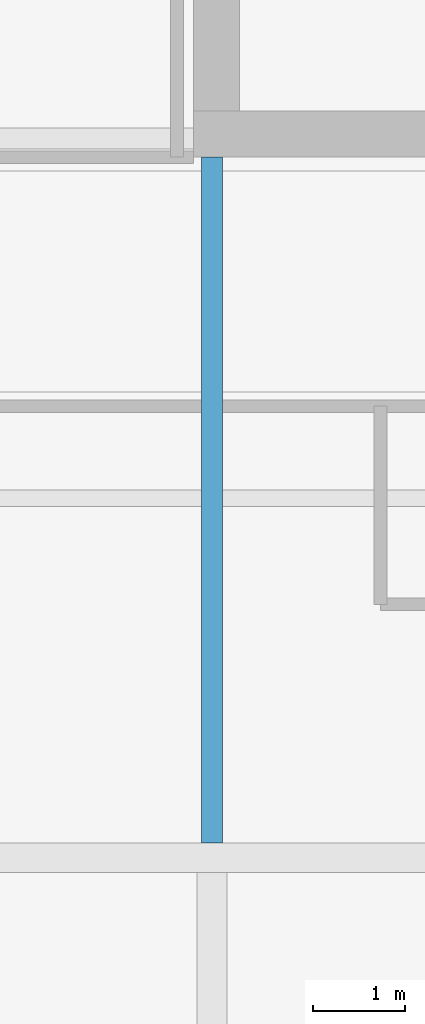
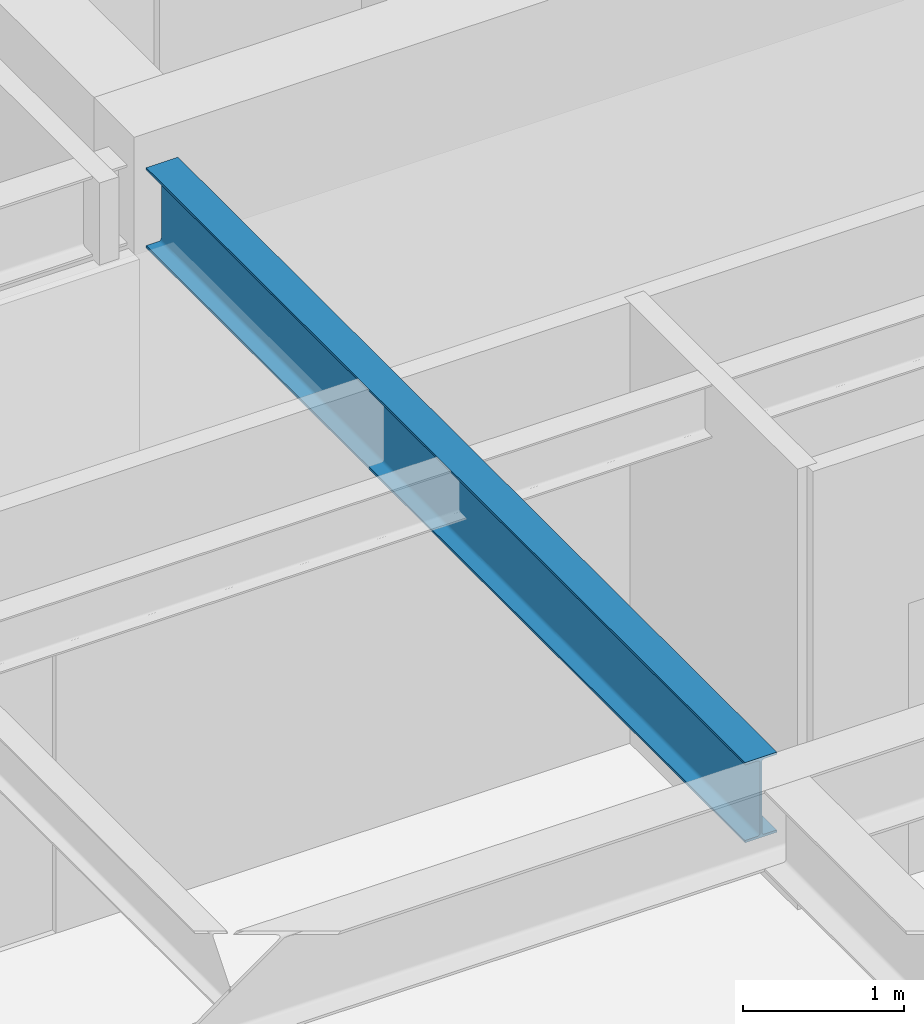
# One storey, part 5 of 32: 1 beam.
"""IFC4 building model written with IfcOpenShell, lengths in metres."""

from ifc_helpers import new_model, si_unit, direction, frame, origin, origin_2d, place, context, subcontext, project, spatial, i_section, extrude, material, material_profile, profile_set, type_object, element, save


model = new_model("IFC4")

# Units and contexts
model_context = context("Model", 3, precision=1e-05, world=origin(), true_north=direction((0.0, 1.0)))
body_context = subcontext(model_context, "Body", "Model", "MODEL_VIEW")
ifc_project = project(units=[si_unit("LENGTHUNIT", "METRE"), si_unit("AREAUNIT", "SQUARE_METRE"), si_unit("VOLUMEUNIT", "CUBIC_METRE"), si_unit("PLANEANGLEUNIT", "RADIAN"), si_unit("MASSUNIT", "GRAM", prefix="KILO")], contexts=[model_context])

# Site, building, storey
site_placement = place(None, origin())
site = spatial("IfcSite", under=ifc_project, at=site_placement, CompositionType="ELEMENT")
building_placement = place(site_placement, origin())
building = spatial("IfcBuilding", under=site, at=building_placement, Name="Drelvath Grand Hotel", CompositionType="ELEMENT")
storey_placement = place(building_placement, frame((0.0, 0.0, 223.10009765625)))
storey = spatial("IfcBuildingStorey", under=building, at=storey_placement, Name="L58", CompositionType="ELEMENT", Elevation=223.10009765625)

# Beam
ifc_material = material(Name="Steel ASTM A992 Gr 50", Category="steel")
ifc_material_profile = material_profile(ifc_material, i_section(OverallWidth=0.228271484375, OverallDepth=0.607666015625, WebThickness=0.01123046875, FlangeThickness=0.017333984375, FilletRadius=0.02001953125, at=origin_2d()), Name="W24X76")
ifc_profile_set = profile_set([ifc_material_profile], Name="Steel ASTM A992 Gr 50")
beam_type = type_object("IfcBeamType", Name="Primary Floor Girder W24X76", PredefinedType="BEAM", material=ifc_profile_set)
beam_placement = place(storey_placement, frame((-8.39990234375, 10.9619140625, 3.0361328125), z_axis=(0.0, 1.0, 0.0), x_axis=(-1.0, 0.0, 0.0)))
element("IfcBeam", 1, at=beam_placement, inside=storey, type_object=beam_type, Name="L58 South Core Tie 4", PredefinedType="BEAM", context=body_context, shape_type="SweptSolid", body=[
    extrude(i_section(OverallWidth=0.228271484375, OverallDepth=0.607666015625, WebThickness=0.01123046875, FlangeThickness=0.017333984375, FilletRadius=0.02001953125, at=origin_2d()), origin(), (0.0, 0.0, 1.0), 7.43798828125),
])

save(model, "model.ifc")
